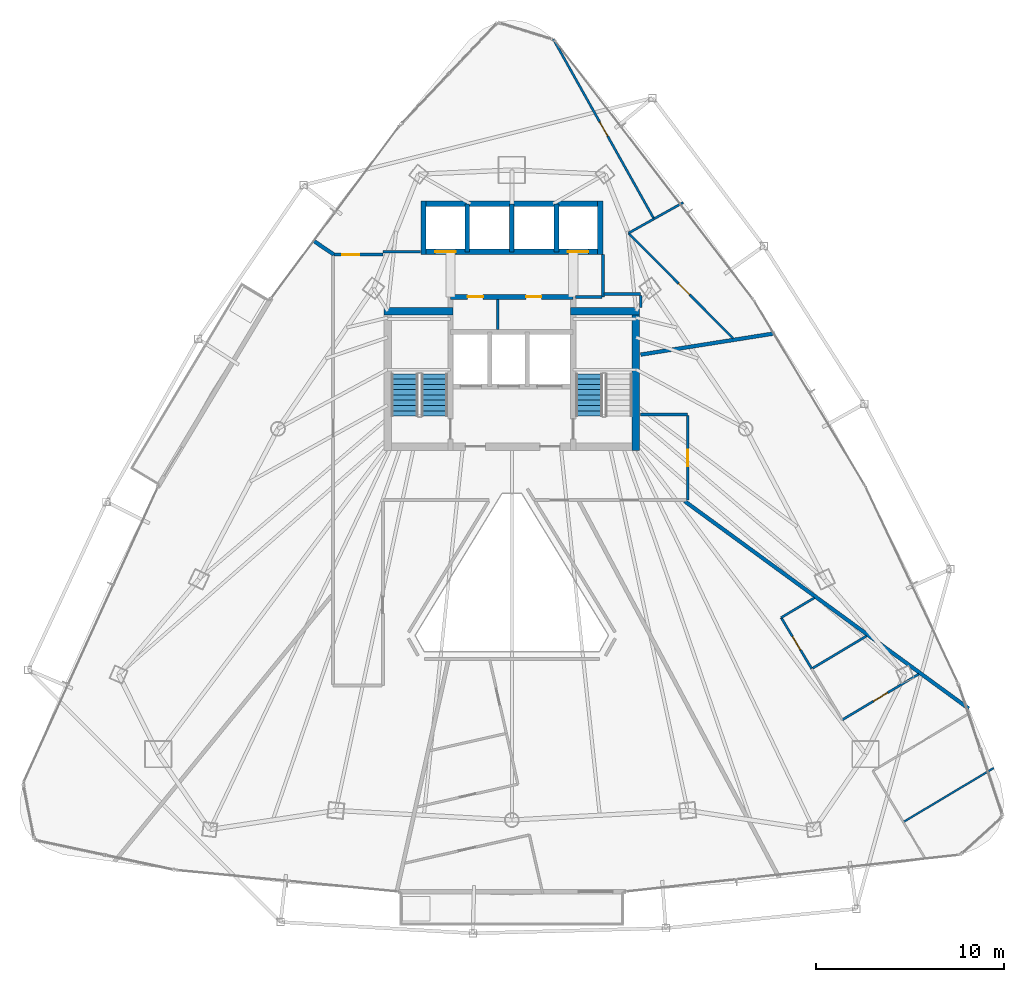
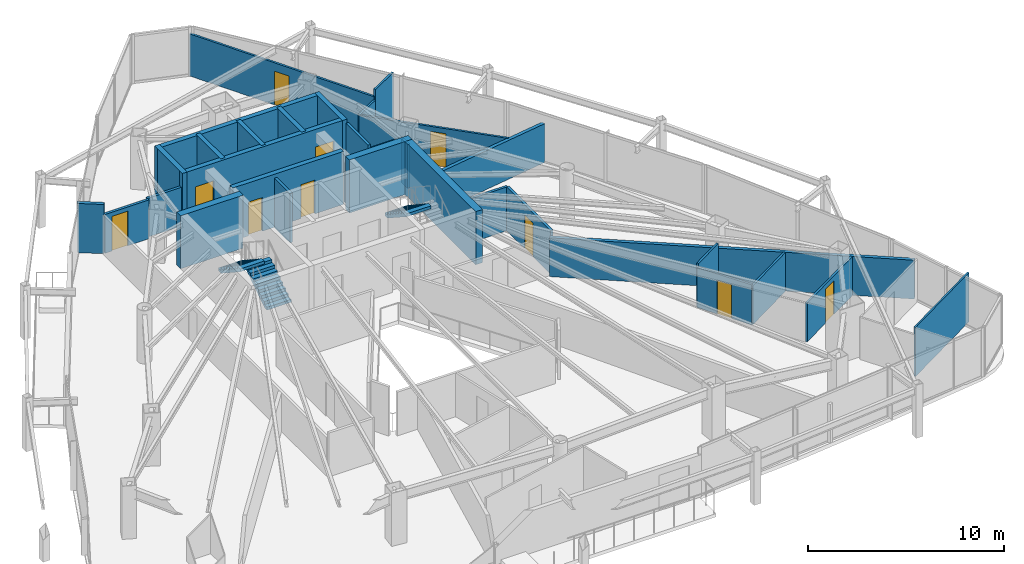
# One storey, part 29 of 33: 32 walls, 10 doors, 3 stair flights, 10 openings, 2 elements without a shape of their own.
"""IFC4 building model written with IfcOpenShell, lengths in metres."""

from ifc_helpers import new_model, si_unit, direction, frame, frame_2d, origin, place, context, subcontext, project, spatial, polyline, rectangle, outline, extrude, material, layer, layer_set, type_object, element, fill, aggregate, save


model = new_model("IFC4")

# Units and contexts
model_context = context("Model", 3, precision=1e-05, world=origin(), true_north=direction((0.0, 1.0)))
body_context = subcontext(model_context, "Body", "Model", "MODEL_VIEW")
ifc_project = project(units=[si_unit("LENGTHUNIT", "METRE"), si_unit("AREAUNIT", "SQUARE_METRE"), si_unit("VOLUMEUNIT", "CUBIC_METRE"), si_unit("PLANEANGLEUNIT", "RADIAN"), si_unit("MASSUNIT", "GRAM", prefix="KILO")], contexts=[model_context])

# Site, building, storey
site_placement = place(None, origin())
site = spatial("IfcSite", under=ifc_project, at=site_placement, CompositionType="ELEMENT")
building_placement = place(site_placement, origin())
building = spatial("IfcBuilding", under=site, at=building_placement, Name="Orvanel Arch Residences", CompositionType="ELEMENT")
storey_placement = place(building_placement, frame((0.0, 0.0, 119.89990234375)))
storey = spatial("IfcBuildingStorey", under=building, at=storey_placement, Name="L33", CompositionType="ELEMENT", Elevation=119.89990234375)

# Walls
ifc_material_1 = material(Name="Concrete N50 (50 MPa)", Category="concrete")
ifc_layer_1 = layer(ifc_material_1, 0.25)
ifc_layer_set_1 = layer_set([ifc_layer_1], Name="Concrete N50 (50 MPa)")
wall_type_1 = type_object("IfcWallType", Name="SW-CORE-250", PredefinedType="SHEAR", material=ifc_layer_set_1)
for number, where, z_axis, x_axis, name in (
    (1, (30.625, 37.050048828125, 0.0), (0.0, 0.0, 1.0), (0.0, 1.0, 0.0), "L33 Passenger Lift Inter-Shaft Wall P35"),
    (2, (33.0, 37.050048828125, 0.0), (0.0, 0.0, 1.0), (0.0, 1.0, 0.0), "L33 Passenger Lift Inter-Shaft Wall P56"),
    (3, (35.375, 37.050048828125, 0.0), (0.0, 0.0, 1.0), (0.0, 1.0, 0.0), "L33 Passenger Lift Inter-Shaft Wall P64"),
):
    element("IfcWall", number, at=place(storey_placement, frame(where, z_axis=z_axis, x_axis=x_axis)), inside=storey, type_object=wall_type_1, Name=name, PredefinedType="SHEAR", context=body_context, shape_type="SweptSolid", body=[
        extrude(rectangle(XDim=2.550048828125, YDim=0.25, at=frame_2d((1.27490234375, 0.0))), origin(), (0.0, 0.0, 1.0), 3.300048828125),
    ])

# Wall, openings, doors
ifc_material_2 = material(Name="Concrete S65 (65 MPa)", Category="concrete")
ifc_layer_2 = layer(ifc_material_2, 0.280029296875)
ifc_layer_set_2 = layer_set([ifc_layer_2], Name="Concrete S65 (65 MPa)")
wall_type_2 = type_object("IfcWallType", Name="SW-CORE-280", PredefinedType="SHEAR", material=ifc_layer_set_2)
wall_1_placement = place(storey_placement, frame((29.739990234375, 34.64990234375, 0.0), z_axis=(0.0, 0.0, 1.0), x_axis=(1.0, 0.0, 0.0)))
wall_1 = element("IfcWall", 4, at=wall_1_placement, inside=storey, type_object=wall_type_2, Name="L33 Core Service Band North Shear Wall", PredefinedType="SHEAR", context=body_context, shape_type="SweptSolid", body=[
    extrude(rectangle(XDim=6.52001953125, YDim=0.280029296875, at=frame_2d((3.260009765625, 0.0))), origin(), (0.0, 0.0, 1.0), 3.300048828125),
])
opening_1_placement = place(wall_1_placement, frame((0.9150390625, 0.0, 0.0)))
opening_1 = element("IfcOpeningElement", 5, at=opening_1_placement, cuts=wall_1, Name="Opening DS-082", PredefinedType="OPENING", context=body_context, shape_type="SweptSolid", body=[
    extrude(rectangle(XDim=0.820068359375, YDim=2.10009765625, at=frame_2d((0.41015625, 1.050048828125))), frame((0.0, 0.14990234375, 0.0), z_axis=(0.0, -1.0, 0.0), x_axis=(1.0, 0.0, 0.0)), (0.0, 0.0, 1.0), 0.300048828125),
])
opening_2_placement = place(wall_1_placement, frame((4.014892578125, 0.0, 0.0)))
opening_2 = element("IfcOpeningElement", 6, at=opening_2_placement, cuts=wall_1, Name="Opening DW-082", PredefinedType="OPENING", context=body_context, shape_type="SweptSolid", body=[
    extrude(rectangle(XDim=0.820068359375, YDim=2.10009765625, at=frame_2d((0.41015625, 1.050048828125))), frame((0.0, 0.14990234375, 0.0), z_axis=(0.0, -1.0, 0.0), x_axis=(1.0, 0.0, 0.0)), (0.0, 0.0, 1.0), 0.300048828125),
])
ifc_material_3 = material(Name="Galvanised steel fire-resisting door assembly", Category="steel")
door_type_1 = type_object("IfcDoorType", Name="DR-SVC-820", OperationType="NOTDEFINED", PredefinedType="DOOR", material=ifc_material_3)
door_1_placement = place(opening_1_placement, origin())
door_1 = element("IfcDoor", 7, at=door_1_placement, inside=storey, type_object=door_type_1, Name="DR-L33-CSVC-1 L33 Floor Cleaner's Store Door", OperationType="SINGLE_SWING_LEFT", OverallHeight=2.10009765625, OverallWidth=0.820068359375, PredefinedType="DOOR", context=body_context, shape_type="SweptSolid", body=[
    extrude(rectangle(XDim=0.820068359375, YDim=2.10009765625, at=frame_2d((0.41015625, 1.050048828125))), frame((0.0, 0.02490234375, 0.0), z_axis=(0.0, -1.0, 0.0), x_axis=(1.0, 0.0, 0.0)), (0.0, 0.0, 1.0), 0.050048828125),
])
fill(opening_1, door_1)
ifc_material_4 = material(Name="Solid-core European oak veneer fire door leaf", Category="wood")
door_type_2 = type_object("IfcDoorType", Name="DR-WET-820", OperationType="NOTDEFINED", PredefinedType="DOOR", material=ifc_material_4)
door_2_placement = place(opening_2_placement, origin())
door_2 = element("IfcDoor", 8, at=door_2_placement, inside=storey, type_object=door_type_2, Name="DR-L33-CSVC-2 L33 Core Accessible WC Door", OperationType="SINGLE_SWING_LEFT", OverallHeight=2.10009765625, OverallWidth=0.820068359375, PredefinedType="DOOR", context=body_context, shape_type="SweptSolid", body=[
    extrude(rectangle(XDim=0.820068359375, YDim=2.10009765625, at=frame_2d((0.41015625, 1.050048828125))), frame((0.0, 0.02490234375, 0.0), z_axis=(0.0, -1.0, 0.0), x_axis=(1.0, 0.0, 0.0)), (0.0, 0.0, 1.0), 0.050048828125),
])
fill(opening_2, door_2)

wall_2_placement = place(storey_placement, frame((37.840087890625, 37.050048828125, 0.0), z_axis=(0.0, 0.0, 1.0), x_axis=(-1.0, 0.0, 0.0)))
wall_2 = element("IfcWall", 9, at=wall_2_placement, inside=storey, type_object=wall_type_2, Name="L33 Passenger Lift Bank Front Shear Wall", PredefinedType="SHEAR", context=body_context, shape_type="SweptSolid", body=[
    extrude(rectangle(XDim=9.68017578125, YDim=0.280029296875, at=frame_2d((4.840087890625, 0.0))), origin(), (0.0, 0.0, 1.0), 3.300048828125),
])
opening_3_placement = place(wall_2_placement, frame((7.81494140625, 0.0, 0.0)))
opening_3 = element("IfcOpeningElement", 10, at=opening_3_placement, cuts=wall_2, Name="Opening LD-110", PredefinedType="OPENING", context=body_context, shape_type="SweptSolid", body=[
    extrude(rectangle(XDim=1.10009765625, YDim=2.199951171875, at=frame_2d((0.550048828125, 1.10009765625))), frame((0.0, 0.14990234375, 0.0), z_axis=(0.0, -1.0, 0.0), x_axis=(1.0, 0.0, 0.0)), (0.0, 0.0, 1.0), 0.300048828125),
])
opening_4_placement = place(wall_2_placement, frame((0.764892578125, 0.0, 0.0)))
opening_4 = element("IfcOpeningElement", 11, at=opening_4_placement, cuts=wall_2, Name="Opening LD-110", PredefinedType="OPENING", context=body_context, shape_type="SweptSolid", body=[
    extrude(rectangle(XDim=1.10009765625, YDim=2.199951171875, at=frame_2d((0.550048828125, 1.10009765625))), frame((0.0, 0.14990234375, 0.0), z_axis=(0.0, -1.0, 0.0), x_axis=(1.0, 0.0, 0.0)), (0.0, 0.0, 1.0), 0.300048828125),
])
door_type_3 = type_object("IfcDoorType", Name="DR-LFT-1100", OperationType="NOTDEFINED", PredefinedType="DOOR", material=ifc_material_3)
door_3_placement = place(opening_3_placement, origin())
door_3 = element("IfcDoor", 12, at=door_3_placement, inside=storey, type_object=door_type_3, Name="LD-P3-L33 L33 Passenger Lift P3 Sliding Landing Door", OperationType="DOUBLE_DOOR_SLIDING", OverallHeight=2.199951171875, OverallWidth=1.10009765625, PredefinedType="DOOR", context=body_context, shape_type="SweptSolid", body=[
    extrude(rectangle(XDim=1.10009765625, YDim=2.199951171875, at=frame_2d((0.550048828125, 1.10009765625))), frame((0.0, 0.02490234375, 0.0), z_axis=(0.0, -1.0, 0.0), x_axis=(1.0, 0.0, 0.0)), (0.0, 0.0, 1.0), 0.050048828125),
])
fill(opening_3, door_3)
door_4_placement = place(opening_4_placement, origin())
door_4 = element("IfcDoor", 13, at=door_4_placement, inside=storey, type_object=door_type_3, Name="LD-P4-L33 L33 Passenger Lift P4 Sliding Landing Door", OperationType="DOUBLE_DOOR_SLIDING", OverallHeight=2.199951171875, OverallWidth=1.10009765625, PredefinedType="DOOR", context=body_context, shape_type="SweptSolid", body=[
    extrude(rectangle(XDim=1.10009765625, YDim=2.199951171875, at=frame_2d((0.550048828125, 1.10009765625))), frame((0.0, 0.02490234375, 0.0), z_axis=(0.0, -1.0, 0.0), x_axis=(1.0, 0.0, 0.0)), (0.0, 0.0, 1.0), 0.050048828125),
])
fill(opening_4, door_4)

# Walls
wall_3_placement = place(storey_placement, frame((28.159912109375, 39.60009765625, 0.0), z_axis=(0.0, 0.0, 1.0), x_axis=(1.0, 0.0, 0.0)))
element("IfcWall", 14, at=wall_3_placement, inside=storey, type_object=wall_type_2, Name="L33 Passenger Lift Bank North Shear Wall", PredefinedType="SHEAR", context=body_context, shape_type="SweptSolid", body=[
    extrude(rectangle(XDim=9.68017578125, YDim=0.280029296875, at=frame_2d((4.840087890625, 0.0))), origin(), (0.0, 0.0, 1.0), 3.300048828125),
])
for number, where, z_axis, x_axis, name in (
    (15, (28.300048828125, 36.909912109375, 0.0), (0.0, 0.0, 1.0), (0.0, 1.0, 0.0), "L33 Passenger Lift Bank West Shear Wall"),
    (16, (37.699951171875, 36.909912109375, 0.0), (0.0, 0.0, 1.0), (0.0, 1.0, 0.0), "L33 Passenger Lift Bank East Shear Wall"),
):
    element("IfcWall", number, at=place(storey_placement, frame(where, z_axis=z_axis, x_axis=x_axis)), inside=storey, type_object=wall_type_2, Name=name, PredefinedType="SHEAR", context=body_context, shape_type="SweptSolid", body=[
        extrude(rectangle(XDim=2.830078125, YDim=0.280029296875, at=frame_2d((1.4150390625, 0.0))), origin(), (0.0, 0.0, 1.0), 3.300048828125),
    ])
ifc_layer_3 = layer(ifc_material_2, 0.39990234375)
ifc_layer_set_3 = layer_set([ifc_layer_3], Name="Concrete S65 (65 MPa)")
wall_type_3 = type_object("IfcWallType", Name="SW-CORE-400", PredefinedType="SHEAR", material=ifc_layer_set_3)
wall_4_placement = place(storey_placement, frame((26.199951171875, 33.89990234375, 0.0), z_axis=(0.0, 0.0, 1.0), x_axis=(1.0, 0.0, 0.0)))
element("IfcWall", 17, at=wall_4_placement, inside=storey, type_object=wall_type_3, Name="L33 West Stair North Shear Wall", PredefinedType="SHEAR", context=body_context, shape_type="SweptSolid", body=[
    extrude(rectangle(XDim=3.679931640625, YDim=0.39990234375, at=frame_2d((1.83984375, 0.0))), origin(), (0.0, 0.0, 1.0), 3.300048828125),
])
wall_5_placement = place(storey_placement, frame((39.60009765625, 26.5, 0.0), z_axis=(0.0, 0.0, 1.0), x_axis=(0.0, 1.0, 0.0)))
element("IfcWall", 18, at=wall_5_placement, inside=storey, type_object=wall_type_3, Name="L33 East Stair Shear Wall", PredefinedType="SHEAR", context=body_context, shape_type="SweptSolid", body=[
    extrude(rectangle(XDim=7.60009765625, YDim=0.39990234375, at=frame_2d((3.800048828125, 0.0))), origin(), (0.0, 0.0, 1.0), 3.300048828125),
])
wall_6_placement = place(storey_placement, frame((36.1201171875, 33.89990234375, 0.0), z_axis=(0.0, 0.0, 1.0), x_axis=(1.0, 0.0, 0.0)))
element("IfcWall", 19, at=wall_6_placement, inside=storey, type_object=wall_type_3, Name="L33 East Stair North Shear Wall", PredefinedType="SHEAR", context=body_context, shape_type="SweptSolid", body=[
    extrude(rectangle(XDim=3.679931640625, YDim=0.39990234375, at=frame_2d((1.83984375, 0.0))), origin(), (0.0, 0.0, 1.0), 3.300048828125),
])
ifc_material_5 = material(Name="Fire-rated plasterboard lined steel stud partition", Category="steel")
ifc_layer_4 = layer(ifc_material_5, 0.14990234375)
ifc_layer_set_4 = layer_set([ifc_layer_4], Name="Fire-rated plasterboard lined steel stud partition")
wall_type_4 = type_object("IfcWallType", Name="W-COR-150", PredefinedType="PARTITIONING", material=ifc_layer_set_4)
wall_7_placement = place(storey_placement, frame((37.85009765625, 34.64990234375, 0.0), z_axis=(0.0, 0.0, 1.0), x_axis=(0.0, 1.0, 0.0)))
element("IfcWall", 20, at=wall_7_placement, inside=storey, type_object=wall_type_4, Name="L33 Passenger Lift Lobby East Closure Wall", PredefinedType="PARTITIONING", context=body_context, shape_type="SweptSolid", body=[
    extrude(rectangle(XDim=2.260009765625, YDim=0.14990234375, at=frame_2d((1.1298828125, 0.0))), origin(), (0.0, 0.0, 1.0), 3.06005859375),
])
wall_8_placement = place(storey_placement, frame((36.385009765625, 34.64990234375, 0.0), z_axis=(0.0, 0.0, 1.0), x_axis=(1.0, 0.0, 0.0)))
element("IfcWall", 21, at=wall_8_placement, inside=storey, type_object=wall_type_4, Name="L33 Passenger Lift Lobby South-East Wall", PredefinedType="PARTITIONING", context=body_context, shape_type="SweptSolid", body=[
    extrude(rectangle(XDim=1.405029296875, YDim=0.14990234375, at=frame_2d((0.70263671875, 0.0))), origin(), (0.0, 0.0, 1.0), 2.425048828125),
])

# Wall, opening, door
wall_9_placement = place(storey_placement, frame((23.56005859375, 36.89990234375, 0.0), z_axis=(0.0, 0.0, 1.0), x_axis=(1.0, 0.0, 0.0)))
wall_9 = element("IfcWall", 22, at=wall_9_placement, inside=storey, type_object=wall_type_4, Name="L33 Corridor Fire-Rated Partition", PredefinedType="PARTITIONING", context=body_context, shape_type="SweptSolid", body=[
    extrude(rectangle(XDim=2.58984375, YDim=0.14990234375, at=frame_2d((1.294921875, 0.0))), origin(), (0.0, 0.0, 1.0), 2.4130859375),
])
opening_5_placement = place(wall_9_placement, frame((0.4140625, 0.0, 0.0)))
opening_5 = element("IfcOpeningElement", 23, at=opening_5_placement, cuts=wall_9, Name="Opening DA-092", PredefinedType="OPENING", context=body_context, shape_type="SweptSolid", body=[
    extrude(rectangle(XDim=0.919921875, YDim=2.14990234375, at=frame_2d((0.4599609375, 1.074951171875))), frame((0.0, 0.0849609375, 0.0), z_axis=(0.0, -1.0, 0.0), x_axis=(1.0, 0.0, 0.0)), (0.0, 0.0, 1.0), 0.169921875),
])
door_type_4 = type_object("IfcDoorType", Name="DR-APT-920", OperationType="NOTDEFINED", PredefinedType="DOOR", material=ifc_material_4)
door_5_placement = place(opening_5_placement, origin())
door_5 = element("IfcDoor", 24, at=door_5_placement, inside=storey, type_object=door_type_4, Name="DR-L33-E-ENT L33 Studio E Entrance Door", OperationType="SINGLE_SWING_RIGHT", OverallHeight=2.14990234375, OverallWidth=0.919921875, PredefinedType="DOOR", context=body_context, shape_type="SweptSolid", body=[
    extrude(rectangle(XDim=0.919921875, YDim=2.14990234375, at=frame_2d((0.4599609375, 1.074951171875))), frame((0.0, 0.02490234375, 0.0), z_axis=(0.0, -1.0, 0.0), x_axis=(1.0, 0.0, 0.0)), (0.0, 0.0, 1.0), 0.050048828125),
])
fill(opening_5, door_5)

# Wall
wall_10_placement = place(storey_placement, frame((39.85009765625, 28.39990234375, 0.0), z_axis=(0.0, 0.0, 1.0), x_axis=(1.0, 0.0, 0.0)))
element("IfcWall", 25, at=wall_10_placement, inside=storey, type_object=wall_type_4, Name="L33 Corridor Fire-Rated Partition", PredefinedType="PARTITIONING", context=body_context, shape_type="SweptSolid", body=[
    extrude(rectangle(XDim=2.5, YDim=0.14990234375, at=frame_2d((1.25, 0.0))), origin(), (0.0, 0.0, 1.0), 2.72119140625),
])

# Wall, opening, door
wall_11_placement = place(storey_placement, frame((42.35009765625, 28.340087890625, 0.0), z_axis=(0.0, 0.0, 1.0), x_axis=(0.0, -1.0, 0.0)))
wall_11 = element("IfcWall", 26, at=wall_11_placement, inside=storey, type_object=wall_type_4, Name="L33 Corridor Fire-Rated Partition", PredefinedType="PARTITIONING", context=body_context, shape_type="SweptSolid", body=[
    extrude(rectangle(XDim=4.489990234375, YDim=0.14990234375, at=frame_2d((2.2451171875, 0.0))), origin(), (0.0, 0.0, 1.0), 2.72119140625),
])
opening_6_placement = place(wall_11_placement, frame((1.804931640625, 0.0, 0.0)))
opening_6 = element("IfcOpeningElement", 27, at=opening_6_placement, cuts=wall_11, Name="Opening DI-088", PredefinedType="OPENING", context=body_context, shape_type="SweptSolid", body=[
    extrude(rectangle(XDim=0.8798828125, YDim=2.10009765625, at=frame_2d((0.43994140625, 1.050048828125))), frame((0.0, 0.0849609375, 0.0), z_axis=(0.0, -1.0, 0.0), x_axis=(1.0, 0.0, 0.0)), (0.0, 0.0, 1.0), 0.169921875),
])
door_type_5 = type_object("IfcDoorType", Name="DR-INT-880", OperationType="NOTDEFINED", PredefinedType="DOOR", material=ifc_material_4)
door_6_placement = place(opening_6_placement, origin())
door_6 = element("IfcDoor", 28, at=door_6_placement, inside=storey, type_object=door_type_5, Name="DR-L33-SHRD-FB6 L33 Co-Working Study Office F Door", OperationType="SINGLE_SWING_LEFT", OverallHeight=2.10009765625, OverallWidth=0.8798828125, PredefinedType="DOOR", context=body_context, shape_type="SweptSolid", body=[
    extrude(rectangle(XDim=0.8798828125, YDim=2.10009765625, at=frame_2d((0.43994140625, 1.050048828125))), frame((0.0, 0.02490234375, 0.0), z_axis=(0.0, -1.0, 0.0), x_axis=(1.0, 0.0, 0.0)), (0.0, 0.0, 1.0), 0.050048828125),
])
fill(opening_6, door_6)

# Walls
wall_12_placement = place(storey_placement, frame((26.14990234375, 37.050048828125, 0.0), z_axis=(0.0, 0.0, 1.0), x_axis=(1.0, 0.0, 0.0)))
element("IfcWall", 29, at=wall_12_placement, inside=storey, type_object=wall_type_4, Name="L33 Core Perimeter Partition", PredefinedType="PARTITIONING", context=body_context, shape_type="SweptSolid", body=[
    extrude(rectangle(XDim=2.0, YDim=0.14990234375, at=frame_2d((1.0, 0.0))), origin(), (0.0, 0.0, 1.0), 2.4130859375),
])
wall_13_placement = place(storey_placement, frame((37.909912109375, 34.800048828125, 0.0), z_axis=(0.0, 0.0, 1.0), x_axis=(1.0, 0.0, 0.0)))
element("IfcWall", 30, at=wall_13_placement, inside=storey, type_object=wall_type_4, Name="L33 Core Perimeter Partition", PredefinedType="PARTITIONING", context=body_context, shape_type="SweptSolid", body=[
    extrude(rectangle(XDim=1.940185546875, YDim=0.14990234375, at=frame_2d((0.97021484375, 0.0))), origin(), (0.0, 0.0, 1.0), 2.72119140625),
])
wall_14_placement = place(storey_placement, frame((39.85009765625, 34.739990234375, 0.0), z_axis=(0.0, 0.0, 1.0), x_axis=(0.0, -1.0, 0.0)))
element("IfcWall", 31, at=wall_14_placement, inside=storey, type_object=wall_type_4, Name="L33 Core Perimeter Partition", PredefinedType="PARTITIONING", context=body_context, shape_type="SweptSolid", body=[
    extrude(rectangle(XDim=0.639892578125, YDim=0.14990234375, at=frame_2d((0.31982421875, 0.0))), origin(), (0.0, 0.0, 1.0), 2.72119140625),
])
ifc_layer_5 = layer(ifc_material_5, 0.199951171875)
ifc_layer_set_5 = layer_set([ifc_layer_5], Name="Fire-rated plasterboard lined steel stud partition")
wall_type_5 = type_object("IfcWallType", Name="W-DEM-200", PredefinedType="PARTITIONING", material=ifc_layer_set_5)
wall_15_placement = place(storey_placement, frame((22.424072265625, 37.659912109375, 0.0), z_axis=(0.0, 0.0, 1.0), x_axis=(0.82818018374, -0.560461937388, 0.0)))
element("IfcWall", 32, at=wall_15_placement, inside=storey, type_object=wall_type_5, Name="L33 Inter-Tenancy Acoustic Demising Wall", PredefinedType="PARTITIONING", context=body_context, shape_type="SweptSolid", body=[
    extrude(rectangle(XDim=1.35595703125, YDim=0.199951171875, at=frame_2d((0.677978515625, 0.0))), origin(), (0.0, 0.0, 1.0), 3.06005859375),
])
wall_16_placement = place(storey_placement, frame((42.19189453125, 23.7900390625, 0.0), z_axis=(0.0, 0.0, 1.0), x_axis=(0.807710254014, -0.589579634621, 0.0)))
element("IfcWall", 33, at=wall_16_placement, inside=storey, type_object=wall_type_5, Name="L33 Inter-Tenancy Acoustic Demising Wall", PredefinedType="PARTITIONING", context=body_context, shape_type="SweptSolid", body=[
    extrude(rectangle(XDim=18.69140625, YDim=0.199951171875, at=frame_2d((9.345703125, 0.0))), origin(), (0.0, 0.0, 1.0), 2.4130859375),
])
wall_17_placement = place(storey_placement, frame((46.97607421875, 32.714111328125, 0.0), z_axis=(0.0, 0.0, 1.0), x_axis=(-0.987677489662, -0.156502959767, 0.0)))
element("IfcWall", 34, at=wall_17_placement, inside=storey, type_object=wall_type_5, Name="L33 Inter-Tenancy Acoustic Demising Wall", PredefinedType="PARTITIONING", context=body_context, shape_type="SweptSolid", body=[
    extrude(rectangle(XDim=7.21484375, YDim=0.199951171875, at=frame_2d((3.607421875, 0.0))), origin(), (0.0, 0.0, 1.0), 2.4130859375),
])
ifc_material_6 = material(Name="Acoustic plasterboard lined twin-stud partition", Category="gypsum")
ifc_layer_6 = layer(ifc_material_6, 0.10009765625)
ifc_layer_set_6 = layer_set([ifc_layer_6], Name="Acoustic plasterboard lined twin-stud partition")
wall_type_6 = type_object("IfcWallType", Name="W-INT-100", PredefinedType="PARTITIONING", material=ifc_layer_set_6)
wall_18_placement = place(storey_placement, frame((58.616943359375, 9.610107421875, 0.0), z_axis=(0.0, 0.0, 1.0), x_axis=(-0.858472602363, -0.512859426151, 0.0)))
element("IfcWall", 35, at=wall_18_placement, inside=storey, type_object=wall_type_6, Name="L33 Flat B Internal Partition", PredefinedType="PARTITIONING", context=body_context, shape_type="SweptSolid", body=[
    extrude(rectangle(XDim=5.59814453125, YDim=0.10009765625, at=frame_2d((2.799072265625, 0.0))), origin(), (0.0, 0.0, 1.0), 3.06005859375),
])
ifc_layer_7 = layer(ifc_material_5, 0.14990234375)
ifc_layer_set_7 = layer_set([ifc_layer_7], Name="Fire-rated plasterboard lined steel stud partition")
wall_type_7 = type_object("IfcWallType", Name="W-ST-150", PredefinedType="PARTITIONING", material=ifc_layer_set_7)
wall_19_placement = place(storey_placement, frame((32.25, 32.9150390625, 0.0), z_axis=(0.0, 0.0, 1.0), x_axis=(0.0, 1.0, 0.0)))
element("IfcWall", 36, at=wall_19_placement, inside=storey, type_object=wall_type_7, Name="L33 Core Service Partition 1", PredefinedType="PARTITIONING", context=body_context, shape_type="SweptSolid", body=[
    extrude(rectangle(XDim=1.60986328125, YDim=0.14990234375, at=frame_2d((0.804931640625, 0.0))), origin(), (0.0, 0.0, 1.0), 3.06005859375),
])
ifc_layer_8 = layer(ifc_material_6, 0.1201171875)
ifc_layer_set_8 = layer_set([ifc_layer_8], Name="Acoustic plasterboard lined twin-stud partition")
wall_type_8 = type_object("IfcWallType", Name="W-WET-120", PredefinedType="PARTITIONING", material=ifc_layer_set_8)
wall_20_placement = place(storey_placement, frame((49.080078125, 18.656982421875, 0.0), z_axis=(0.0, 0.0, 1.0), x_axis=(-0.858394155401, -0.51299071529, 0.0)))
element("IfcWall", 37, at=wall_20_placement, inside=storey, type_object=wall_type_8, Name="L33 Flat B Bathroom Partition", PredefinedType="PARTITIONING", context=body_context, shape_type="SweptSolid", body=[
    extrude(rectangle(XDim=2.052734375, YDim=0.1201171875, at=frame_2d((1.0263671875, 0.0))), origin(), (0.0, 0.0, 1.0), 2.72119140625),
])

# Wall, opening, door
wall_21_placement = place(storey_placement, frame((47.318115234375, 17.60400390625, 0.0), z_axis=(0.0, 0.0, 1.0), x_axis=(0.51313361254, -0.858308741469, 0.0)))
wall_21 = element("IfcWall", 38, at=wall_21_placement, inside=storey, type_object=wall_type_8, Name="L33 Flat B Bathroom Partition", PredefinedType="PARTITIONING", context=body_context, shape_type="SweptSolid", body=[
    extrude(rectangle(XDim=3.16455078125, YDim=0.1201171875, at=frame_2d((1.582275390625, 0.0))), origin(), (0.0, 0.0, 1.0), 2.4921875),
])
opening_7_placement = place(wall_21_placement, frame((1.172119140625, 0.0, 0.0)))
opening_7 = element("IfcOpeningElement", 39, at=opening_7_placement, cuts=wall_21, Name="Opening DW-082", PredefinedType="OPENING", context=body_context, shape_type="SweptSolid", body=[
    extrude(rectangle(XDim=0.820068359375, YDim=2.10009765625, at=frame_2d((0.41015625, 1.050048828125))), frame((0.0, 0.070068359375, 0.0), z_axis=(0.0, -1.0, 0.0), x_axis=(1.0, 0.0, 0.0)), (0.0, 0.0, 1.0), 0.14013671875),
])
door_7_placement = place(opening_7_placement, origin())
door_7 = element("IfcDoor", 40, at=door_7_placement, inside=storey, type_object=door_type_2, Name="DR-L33-B-BATH L33 Flat B Bathroom Door", OperationType="SINGLE_SWING_RIGHT", OverallHeight=2.10009765625, OverallWidth=0.820068359375, PredefinedType="DOOR", context=body_context, shape_type="SweptSolid", body=[
    extrude(rectangle(XDim=0.820068359375, YDim=2.10009765625, at=frame_2d((0.41015625, 1.050048828125))), frame((0.0, 0.02490234375, 0.0), z_axis=(0.0, -1.0, 0.0), x_axis=(1.0, 0.0, 0.0)), (0.0, 0.0, 1.0), 0.050048828125),
])
fill(opening_7, door_7)

wall_22_placement = place(storey_placement, frame((50.56494140625, 12.172119140625, 0.0), z_axis=(0.0, 0.0, 1.0), x_axis=(0.858473034369, 0.512858703018, 0.0)))
wall_22 = element("IfcWall", 41, at=wall_22_placement, inside=storey, type_object=wall_type_8, Name="L33 Flat B Internal Partition", PredefinedType="PARTITIONING", context=body_context, shape_type="SweptSolid", body=[
    extrude(rectangle(XDim=4.739990234375, YDim=0.1201171875, at=frame_2d((2.3701171875, 0.0))), origin(), (0.0, 0.0, 1.0), 2.4130859375),
])
opening_8_placement = place(wall_22_placement, frame((1.929931640625, 0.0, 0.0)))
opening_8 = element("IfcOpeningElement", 42, at=opening_8_placement, cuts=wall_22, Name="Opening DI-088", PredefinedType="OPENING", context=body_context, shape_type="SweptSolid", body=[
    extrude(rectangle(XDim=0.8798828125, YDim=2.10009765625, at=frame_2d((0.43994140625, 1.050048828125))), frame((0.0, 0.070068359375, 0.0), z_axis=(0.0, -1.0, 0.0), x_axis=(1.0, 0.0, 0.0)), (0.0, 0.0, 1.0), 0.14013671875),
])
door_8_placement = place(opening_8_placement, origin())
door_8 = element("IfcDoor", 43, at=door_8_placement, inside=storey, type_object=door_type_5, Name="DR-L33-B-KIT L33 Flat B Kitchen Door", OperationType="SINGLE_SWING_LEFT", OverallHeight=2.10009765625, OverallWidth=0.8798828125, PredefinedType="DOOR", context=body_context, shape_type="SweptSolid", body=[
    extrude(rectangle(XDim=0.8798828125, YDim=2.10009765625, at=frame_2d((0.43994140625, 1.050048828125))), frame((0.0, 0.02490234375, 0.0), z_axis=(0.0, -1.0, 0.0), x_axis=(1.0, 0.0, 0.0)), (0.0, 0.0, 1.0), 0.050048828125),
])
fill(opening_8, door_8)

# Walls
wall_23_placement = place(storey_placement, frame((51.85693359375, 16.6298828125, 0.0), z_axis=(0.0, 0.0, 1.0), x_axis=(-0.858411372428, -0.512961904713, 0.0)))
element("IfcWall", 44, at=wall_23_placement, inside=storey, type_object=wall_type_8, Name="L33 Flat B Bathroom Partition", PredefinedType="PARTITIONING", context=body_context, shape_type="SweptSolid", body=[
    extrude(rectangle(XDim=3.395751953125, YDim=0.1201171875, at=frame_2d((1.69775390625, 0.0))), origin(), (0.0, 0.0, 1.0), 2.4130859375),
])
wall_24_placement = place(storey_placement, frame((40.556884765625, 38.800048828125, 0.0), z_axis=(0.0, 0.0, 1.0), x_axis=(-0.872825188639, -0.488032980521, 0.0)))
element("IfcWall", 45, at=wall_24_placement, inside=storey, type_object=wall_type_8, Name="L33 Studio E Bathroom Partition", PredefinedType="PARTITIONING", context=body_context, shape_type="SweptSolid", body=[
    extrude(rectangle(XDim=1.55126953125, YDim=0.1201171875, at=frame_2d((0.775634765625, 0.0))), origin(), (0.0, 0.0, 1.0), 2.4130859375),
])

# Wall, opening, door
wall_25_placement = place(storey_placement, frame((39.202880859375, 38.04296875, 0.0), z_axis=(0.0, 0.0, 1.0), x_axis=(0.704889894519, -0.709316739267, 0.0)))
wall_25 = element("IfcWall", 46, at=wall_25_placement, inside=storey, type_object=wall_type_8, Name="L33 Studio E Bathroom Partition", PredefinedType="PARTITIONING", context=body_context, shape_type="SweptSolid", body=[
    extrude(rectangle(XDim=7.886474609375, YDim=0.1201171875, at=frame_2d((3.943359375, 0.0))), origin(), (0.0, 0.0, 1.0), 2.4130859375),
])
opening_9_placement = place(wall_25_placement, frame((3.780029296875, 0.0, 0.0)))
opening_9 = element("IfcOpeningElement", 47, at=opening_9_placement, cuts=wall_25, Name="Opening DW-082", PredefinedType="OPENING", context=body_context, shape_type="SweptSolid", body=[
    extrude(rectangle(XDim=0.820068359375, YDim=2.10009765625, at=frame_2d((0.41015625, 1.050048828125))), frame((0.0, 0.070068359375, 0.0), z_axis=(0.0, -1.0, 0.0), x_axis=(1.0, 0.0, 0.0)), (0.0, 0.0, 1.0), 0.14013671875),
])
door_9_placement = place(opening_9_placement, origin())
door_9 = element("IfcDoor", 48, at=door_9_placement, inside=storey, type_object=door_type_2, Name="DR-L33-E-BATH L33 Studio E Bathroom Door", OperationType="SINGLE_SWING_RIGHT", OverallHeight=2.10009765625, OverallWidth=0.820068359375, PredefinedType="DOOR", context=body_context, shape_type="SweptSolid", body=[
    extrude(rectangle(XDim=0.820068359375, YDim=2.10009765625, at=frame_2d((0.41015625, 1.050048828125))), frame((0.0, 0.02490234375, 0.0), z_axis=(0.0, -1.0, 0.0), x_axis=(1.0, 0.0, 0.0)), (0.0, 0.0, 1.0), 0.050048828125),
])
fill(opening_9, door_9)

wall_26_placement = place(storey_placement, frame((35.205078125, 48.35693359375, 0.0), z_axis=(0.0, 0.0, 1.0), x_axis=(0.488599975334, -0.872507916356, 0.0)))
wall_26 = element("IfcWall", 49, at=wall_26_placement, inside=storey, type_object=wall_type_8, Name="L33 Studio E Internal Partition", PredefinedType="PARTITIONING", context=body_context, shape_type="SweptSolid", body=[
    extrude(rectangle(XDim=10.953369140625, YDim=0.1201171875, at=frame_2d((5.4765625, 0.0))), origin(), (0.0, 0.0, 1.0), 2.619140625),
])
opening_10_placement = place(wall_26_placement, frame((5.037109375, 0.0, 0.0)))
opening_10 = element("IfcOpeningElement", 50, at=opening_10_placement, cuts=wall_26, Name="Opening DI-088", PredefinedType="OPENING", context=body_context, shape_type="SweptSolid", body=[
    extrude(rectangle(XDim=0.8798828125, YDim=2.10009765625, at=frame_2d((0.43994140625, 1.050048828125))), frame((0.0, 0.070068359375, 0.0), z_axis=(0.0, -1.0, 0.0), x_axis=(1.0, 0.0, 0.0)), (0.0, 0.0, 1.0), 0.14013671875),
])
door_10_placement = place(opening_10_placement, origin())
door_10 = element("IfcDoor", 51, at=door_10_placement, inside=storey, type_object=door_type_5, Name="DR-L33-E-KIT L33 Studio E Kitchenette Door", OperationType="SINGLE_SWING_LEFT", OverallHeight=2.10009765625, OverallWidth=0.8798828125, PredefinedType="DOOR", context=body_context, shape_type="SweptSolid", body=[
    extrude(rectangle(XDim=0.8798828125, YDim=2.10009765625, at=frame_2d((0.43994140625, 1.050048828125))), frame((0.0, 0.02490234375, 0.0), z_axis=(0.0, -1.0, 0.0), x_axis=(1.0, 0.0, 0.0)), (0.0, 0.0, 1.0), 0.050048828125),
])
fill(opening_10, door_10)

# Wall
wall_27_placement = place(storey_placement, frame((40.556884765625, 38.801025390625, 0.0), z_axis=(0.0, 0.0, 1.0), x_axis=(0.872620527381, 0.488398828002, 0.0)))
element("IfcWall", 52, at=wall_27_placement, inside=storey, type_object=wall_type_8, Name="L33 Studio E Bathroom Partition", PredefinedType="PARTITIONING", context=body_context, shape_type="SweptSolid", body=[
    extrude(rectangle(XDim=1.781005859375, YDim=0.1201171875, at=frame_2d((0.890625, 0.0))), origin(), (0.0, 0.0, 1.0), 3.06005859375),
])

# Stair, stair flights
ifc_material_7 = material(Name="Precast concrete N50 (50 MPa)", Category="concrete")
stair_type = type_object("IfcStairType", Name="STR-DOG-184", PredefinedType="USERDEFINED", material=ifc_material_7)
stair_1_placement = place(storey_placement, origin())
stair_1 = element("IfcStair", 53, at=stair_1_placement, inside=storey, type_object=stair_type, Name="L33 Fire-Isolated Core Exit Stair 1", ObjectType="TWO_RETURN_STAIR", PredefinedType="USERDEFINED")
stair_flight_type_1 = type_object("IfcStairFlightType", Name="SFL-C1-184", PredefinedType="STRAIGHT", material=ifc_material_7)
stair_flight_1_placement = place(storey_placement, frame((28.889892578125, 28.320068359375, 0.0), z_axis=(0.0, 0.0, 1.0), x_axis=(0.0, 1.0, 0.0)))
stair_flight_1 = element("IfcStairFlight", 54, at=stair_flight_1_placement, type_object=stair_flight_type_1, Name="ST-1 flight 1", NumberOfRisers=9, NumberOfTreads=8, PredefinedType="STRAIGHT", RiserHeight=0.183333333, TreadLength=0.28, context=body_context, shape_type="SweptSolid", body=[
    extrude(outline(polyline([(0.0, 0.0), (0.0, 0.183349609375), (0.280029296875, 0.183349609375), (0.280029296875, 0.36669921875), (0.56005859375, 0.36669921875), (0.56005859375, 0.550048828125), (0.840087890625, 0.550048828125), (0.840087890625, 0.7333984375), (1.1201171875, 0.7333984375), (1.1201171875, 0.916748046875), (1.39990234375, 0.916748046875), (1.39990234375, 1.10009765625), (1.679931640625, 1.10009765625), (1.679931640625, 1.283447265625), (1.9599609375, 1.283447265625), (1.9599609375, 1.466552734375), (2.239990234375, 1.466552734375), (2.239990234375, 1.64990234375), (2.239990234375, 1.28759765625), (0.273681640625, 0.0), (0.0, 0.0)])), frame((0.0, 0.7099609375, 0.0), z_axis=(0.0, -1.0, 0.0), x_axis=(1.0, 0.0, 0.0)), (0.0, 0.0, 1.0), 1.419921875),
])
stair_flight_2_placement = place(storey_placement, frame((27.31005859375, 30.56005859375, 1.650146484375), z_axis=(0.0, 0.0, 1.0), x_axis=(0.0, -1.0, 0.0)))
stair_flight_2 = element("IfcStairFlight", 55, at=stair_flight_2_placement, type_object=stair_flight_type_1, Name="ST-1 flight 2", NumberOfRisers=9, NumberOfTreads=8, PredefinedType="STRAIGHT", RiserHeight=0.183333333, TreadLength=0.28, context=body_context, shape_type="SweptSolid", body=[
    extrude(outline(polyline([(0.0, 0.0), (0.0, 0.183349609375), (0.280029296875, 0.183349609375), (0.280029296875, 0.36669921875), (0.56005859375, 0.36669921875), (0.56005859375, 0.550048828125), (0.840087890625, 0.550048828125), (0.840087890625, 0.7333984375), (1.1201171875, 0.7333984375), (1.1201171875, 0.916748046875), (1.39990234375, 0.916748046875), (1.39990234375, 1.10009765625), (1.679931640625, 1.10009765625), (1.679931640625, 1.283447265625), (1.9599609375, 1.283447265625), (1.9599609375, 1.466552734375), (2.239990234375, 1.466552734375), (2.239990234375, 1.64990234375), (2.239990234375, 1.28759765625), (0.273681640625, 0.0), (0.0, 0.0)])), frame((0.0, 0.7099609375, 0.0), z_axis=(0.0, -1.0, 0.0), x_axis=(1.0, 0.0, 0.0)), (0.0, 0.0, 1.0), 1.419921875),
])
aggregate(stair_1, [stair_flight_1, stair_flight_2])

# Stair, stair flight
stair_2_placement = place(storey_placement, origin())
stair_2 = element("IfcStair", 56, at=stair_2_placement, inside=storey, type_object=stair_type, Name="L33 Fire-Isolated Core Exit Stair 2", ObjectType="TWO_RETURN_STAIR", PredefinedType="USERDEFINED")
stair_flight_type_2 = type_object("IfcStairFlightType", Name="SFL-C2-184", PredefinedType="STRAIGHT", material=ifc_material_7)
stair_flight_3_placement = place(storey_placement, frame((37.110107421875, 30.56005859375, 1.650146484375), z_axis=(0.0, 0.0, 1.0), x_axis=(0.0, -1.0, 0.0)))
stair_flight_3 = element("IfcStairFlight", 57, at=stair_flight_3_placement, type_object=stair_flight_type_2, Name="ST-2 flight 2", NumberOfRisers=9, NumberOfTreads=8, PredefinedType="STRAIGHT", RiserHeight=0.183333333, TreadLength=0.28, context=body_context, shape_type="SweptSolid", body=[
    extrude(outline(polyline([(0.0, 0.0), (0.0, 0.183349609375), (0.280029296875, 0.183349609375), (0.280029296875, 0.36669921875), (0.56005859375, 0.36669921875), (0.56005859375, 0.550048828125), (0.840087890625, 0.550048828125), (0.840087890625, 0.7333984375), (1.1201171875, 0.7333984375), (1.1201171875, 0.916748046875), (1.39990234375, 0.916748046875), (1.39990234375, 1.10009765625), (1.679931640625, 1.10009765625), (1.679931640625, 1.283447265625), (1.9599609375, 1.283447265625), (1.9599609375, 1.466552734375), (2.239990234375, 1.466552734375), (2.239990234375, 1.64990234375), (2.239990234375, 1.28759765625), (0.273681640625, 0.0), (0.0, 0.0)])), frame((0.0, 0.7099609375, 0.0), z_axis=(0.0, -1.0, 0.0), x_axis=(1.0, 0.0, 0.0)), (0.0, 0.0, 1.0), 1.419921875),
])
aggregate(stair_2, [stair_flight_3])

save(model, "model.ifc")
